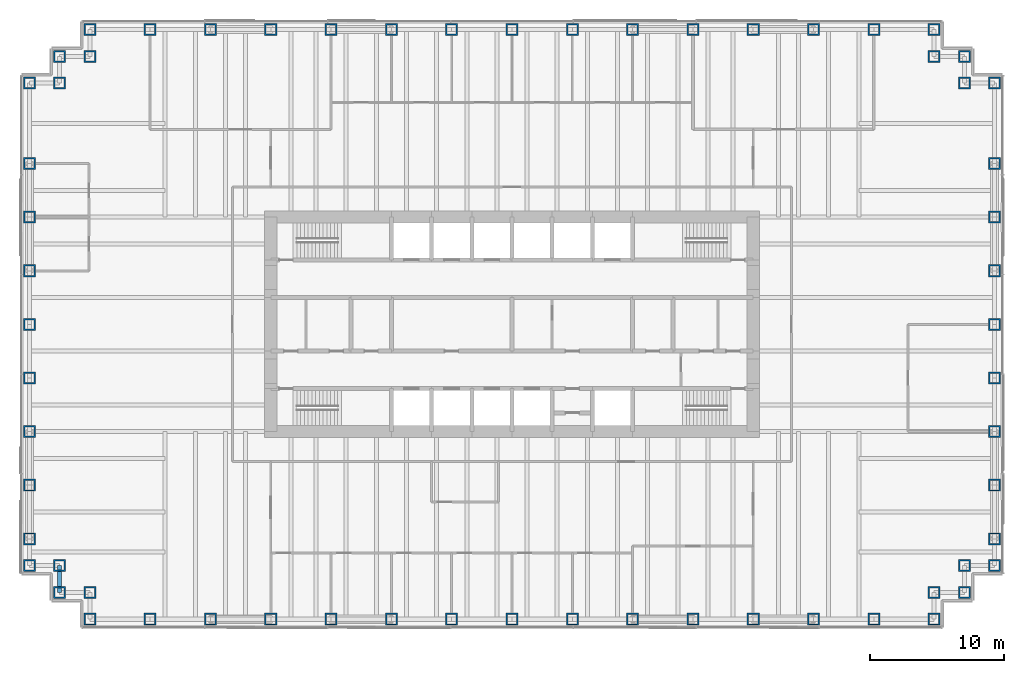
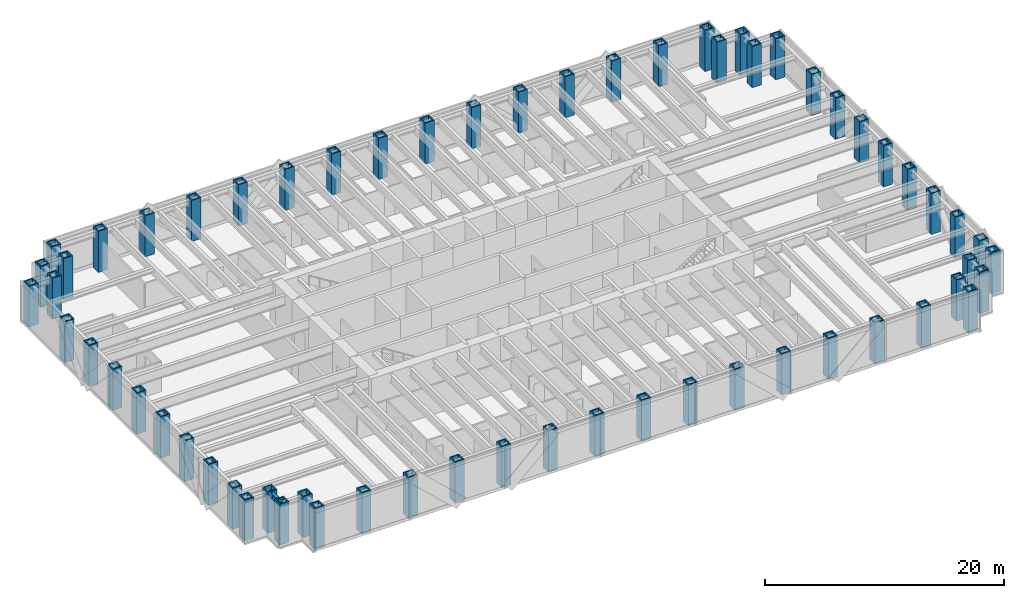
# One storey, part 1 of 15: 62 columns, 1 beam.
"""IFC4 building model written with IfcOpenShell, lengths in metres."""

from ifc_helpers import new_model, si_unit, direction, frame, origin, origin_2d, place, context, subcontext, project, spatial, hollow_rectangle, i_section, extrude, material, material_profile, profile_set, type_object, element, save


model = new_model("IFC4")

# Units and contexts
model_context = context("Model", 3, precision=1e-05, world=origin(), true_north=direction((0.0, 1.0)))
body_context = subcontext(model_context, "Body", "Model", "MODEL_VIEW")
ifc_project = project(units=[si_unit("LENGTHUNIT", "METRE"), si_unit("AREAUNIT", "SQUARE_METRE"), si_unit("VOLUMEUNIT", "CUBIC_METRE"), si_unit("PLANEANGLEUNIT", "RADIAN"), si_unit("MASSUNIT", "GRAM", prefix="KILO")], contexts=[model_context])

# Site, building, storey
site_placement = place(None, origin())
site = spatial("IfcSite", under=ifc_project, at=site_placement, CompositionType="ELEMENT")
building_placement = place(site_placement, origin())
building = spatial("IfcBuilding", under=site, at=building_placement, Name="Rheinbord Bourse Tower", CompositionType="ELEMENT")
storey_placement = place(building_placement, frame((0.0, 0.0, 113.10009765625)))
storey = spatial("IfcBuildingStorey", under=building, at=storey_placement, Name="L24", CompositionType="ELEMENT", Elevation=113.10009765625)

# Columns
ifc_material_1 = material(Name="Steel S460M", Category="steel")
ifc_material_profile_1 = material_profile(ifc_material_1, hollow_rectangle(XDim=0.89990234375, YDim=0.89990234375, WallThickness=0.110107421875, at=origin_2d()), Name="BOX 900x900x110")
ifc_profile_set_1 = profile_set([ifc_material_profile_1], Name="Steel S460M")
column_type = type_object("IfcColumnType", Name="TUBE COLUMN BOX 900x900x110", PredefinedType="COLUMN", material=ifc_profile_set_1)
for number, where, z_axis, x_axis, name in (
    (1, (4.5, 2.0, 0.0), (0.0, 0.0, 1.0), (0.0, 1.0, 0.0), "Column SW-E L24"),
    (2, (9.0, 2.0, 0.0), (0.0, 0.0, 1.0), (0.0, 1.0, 0.0), "Column S-9 L24"),
    (3, (13.5, 2.0, 0.0), (0.0, 0.0, 1.0), (0.0, 1.0, 0.0), "Column S-13.5 L24"),
    (4, (18.0, 2.0, 0.0), (0.0, 0.0, 1.0), (0.0, 1.0, 0.0), "Column S-18 L24"),
    (5, (22.5, 2.0, 0.0), (0.0, 0.0, 1.0), (0.0, 1.0, 0.0), "Column S-22.5 L24"),
    (6, (27.0, 2.0, 0.0), (0.0, 0.0, 1.0), (0.0, 1.0, 0.0), "Column S-27 L24"),
    (7, (31.5, 2.0, 0.0), (0.0, 0.0, 1.0), (0.0, 1.0, 0.0), "Column S-31.5 L24"),
    (8, (36.0, 2.0, 0.0), (0.0, 0.0, 1.0), (0.0, 1.0, 0.0), "Column S-36 L24"),
    (9, (40.5, 2.0, 0.0), (0.0, 0.0, 1.0), (0.0, 1.0, 0.0), "Column S-40.5 L24"),
    (10, (45.0, 2.0, 0.0), (0.0, 0.0, 1.0), (0.0, 1.0, 0.0), "Column S-45 L24"),
    (11, (49.5, 2.0, 0.0), (0.0, 0.0, 1.0), (0.0, 1.0, 0.0), "Column S-49.5 L24"),
    (12, (54.0, 2.0, 0.0), (0.0, 0.0, 1.0), (0.0, 1.0, 0.0), "Column S-54 L24"),
    (13, (58.5, 2.0, 0.0), (0.0, 0.0, 1.0), (0.0, 1.0, 0.0), "Column S-58.5 L24"),
    (14, (63.0, 2.0, 0.0), (0.0, 0.0, 1.0), (0.0, 1.0, 0.0), "Column S-63 L24"),
    (15, (67.5, 2.0, 0.0), (0.0, 0.0, 1.0), (0.0, 1.0, 0.0), "Column SE-E L24"),
    (16, (67.5, 4.0, 0.0), (0.0, 0.0, 1.0), (0.0, 1.0, 0.0), "Column SE-D L24"),
    (17, (69.75, 4.0, 0.0), (0.0, 0.0, 1.0), (1.0, 0.0, 0.0), "Column SE-C L24"),
    (18, (69.75, 6.0, 0.0), (0.0, 0.0, 1.0), (1.0, 0.0, 0.0), "Column SE-B L24"),
    (19, (72.0, 6.0, 0.0), (0.0, 0.0, 1.0), (1.0, 0.0, 0.0), "Column SE-A L24"),
    (20, (72.0, 8.0, 0.0), (0.0, 0.0, 1.0), (1.0, 0.0, 0.0), "Column E-8 L24"),
    (21, (72.0, 12.0, 0.0), (0.0, 0.0, 1.0), (1.0, 0.0, 0.0), "Column E-12 L24"),
    (22, (72.0, 16.0, 0.0), (0.0, 0.0, 1.0), (1.0, 0.0, 0.0), "Column E-16 L24"),
    (23, (72.0, 20.0, 0.0), (0.0, 0.0, 1.0), (1.0, 0.0, 0.0), "Column E-20 L24"),
    (24, (72.0, 24.0, 0.0), (0.0, 0.0, 1.0), (1.0, 0.0, 0.0), "Column E-24 L24"),
    (25, (72.0, 28.0, 0.0), (0.0, 0.0, 1.0), (1.0, 0.0, 0.0), "Column E-28 L24"),
    (26, (72.0, 32.0, 0.0), (0.0, 0.0, 1.0), (1.0, 0.0, 0.0), "Column E-32 L24"),
    (27, (72.0, 36.0, 0.0), (0.0, 0.0, 1.0), (1.0, 0.0, 0.0), "Column E-36 L24"),
    (28, (72.0, 42.0, 0.0), (0.0, 0.0, 1.0), (1.0, 0.0, 0.0), "Column NE-A L24"),
    (29, (69.75, 42.0, 0.0), (0.0, 0.0, 1.0), (1.0, 0.0, 0.0), "Column NE-B L24"),
    (30, (69.75, 44.0, 0.0), (0.0, 0.0, 1.0), (1.0, 0.0, 0.0), "Column NE-C L24"),
    (31, (67.5, 44.0, 0.0), (0.0, 0.0, 1.0), (0.0, 1.0, 0.0), "Column NE-D L24"),
    (32, (67.5, 46.0, 0.0), (0.0, 0.0, 1.0), (0.0, 1.0, 0.0), "Column NE-E L24"),
    (33, (63.0, 46.0, 0.0), (0.0, 0.0, 1.0), (0.0, 1.0, 0.0), "Column N-63 L24"),
    (34, (58.5, 46.0, 0.0), (0.0, 0.0, 1.0), (0.0, 1.0, 0.0), "Column N-58.5 L24"),
    (35, (54.0, 46.0, 0.0), (0.0, 0.0, 1.0), (0.0, 1.0, 0.0), "Column N-54 L24"),
    (36, (49.5, 46.0, 0.0), (0.0, 0.0, 1.0), (0.0, 1.0, 0.0), "Column N-49.5 L24"),
    (37, (45.0, 46.0, 0.0), (0.0, 0.0, 1.0), (0.0, 1.0, 0.0), "Column N-45 L24"),
    (38, (40.5, 46.0, 0.0), (0.0, 0.0, 1.0), (0.0, 1.0, 0.0), "Column N-40.5 L24"),
    (39, (36.0, 46.0, 0.0), (0.0, 0.0, 1.0), (0.0, 1.0, 0.0), "Column N-36 L24"),
    (40, (31.5, 46.0, 0.0), (0.0, 0.0, 1.0), (0.0, 1.0, 0.0), "Column N-31.5 L24"),
    (41, (27.0, 46.0, 0.0), (0.0, 0.0, 1.0), (0.0, 1.0, 0.0), "Column N-27 L24"),
    (42, (22.5, 46.0, 0.0), (0.0, 0.0, 1.0), (0.0, 1.0, 0.0), "Column N-22.5 L24"),
    (43, (18.0, 46.0, 0.0), (0.0, 0.0, 1.0), (0.0, 1.0, 0.0), "Column N-18 L24"),
    (44, (13.5, 46.0, 0.0), (0.0, 0.0, 1.0), (0.0, 1.0, 0.0), "Column N-13.5 L24"),
    (45, (9.0, 46.0, 0.0), (0.0, 0.0, 1.0), (0.0, 1.0, 0.0), "Column N-9 L24"),
    (46, (4.5, 46.0, 0.0), (0.0, 0.0, 1.0), (0.0, 1.0, 0.0), "Column NW-E L24"),
    (47, (4.5, 44.0, 0.0), (0.0, 0.0, 1.0), (0.0, 1.0, 0.0), "Column NW-D L24"),
    (48, (2.25, 44.0, 0.0), (0.0, 0.0, 1.0), (1.0, 0.0, 0.0), "Column NW-C L24"),
    (49, (2.25, 42.0, 0.0), (0.0, 0.0, 1.0), (1.0, 0.0, 0.0), "Column NW-B L24"),
    (50, (0.0, 42.0, 0.0), (0.0, 0.0, 1.0), (1.0, 0.0, 0.0), "Column NW-A L24"),
    (51, (0.0, 36.0, 0.0), (0.0, 0.0, 1.0), (1.0, 0.0, 0.0), "Column W-36 L24"),
    (52, (0.0, 32.0, 0.0), (0.0, 0.0, 1.0), (1.0, 0.0, 0.0), "Column W-32 L24"),
    (53, (0.0, 28.0, 0.0), (0.0, 0.0, 1.0), (1.0, 0.0, 0.0), "Column W-28 L24"),
    (54, (0.0, 24.0, 0.0), (0.0, 0.0, 1.0), (1.0, 0.0, 0.0), "Column W-24 L24"),
    (55, (0.0, 20.0, 0.0), (0.0, 0.0, 1.0), (1.0, 0.0, 0.0), "Column W-20 L24"),
    (56, (0.0, 16.0, 0.0), (0.0, 0.0, 1.0), (1.0, 0.0, 0.0), "Column W-16 L24"),
    (57, (0.0, 12.0, 0.0), (0.0, 0.0, 1.0), (1.0, 0.0, 0.0), "Column W-12 L24"),
    (58, (0.0, 8.0, 0.0), (0.0, 0.0, 1.0), (1.0, 0.0, 0.0), "Column W-8 L24"),
    (59, (0.0, 6.0, 0.0), (0.0, 0.0, 1.0), (1.0, 0.0, 0.0), "Column SW-A L24"),
    (60, (2.25, 6.0, 0.0), (0.0, 0.0, 1.0), (1.0, 0.0, 0.0), "Column SW-B L24"),
    (61, (2.25, 4.0, 0.0), (0.0, 0.0, 1.0), (1.0, 0.0, 0.0), "Column SW-C L24"),
    (62, (4.5, 4.0, 0.0), (0.0, 0.0, 1.0), (0.0, 1.0, 0.0), "Column SW-D L24"),
):
    element("IfcColumn", number, at=place(storey_placement, frame(where, z_axis=z_axis, x_axis=x_axis)), inside=storey, type_object=column_type, Name=name, PredefinedType="COLUMN", context=body_context, shape_type="SweptSolid", body=[
        extrude(hollow_rectangle(XDim=0.89990234375, YDim=0.89990234375, WallThickness=0.110107421875, at=origin_2d()), origin(), (0.0, 0.0, 1.0), 4.199951171875),
    ])

# Beam
ifc_material_2 = material(Name="Steel S460", Category="steel")
ifc_material_profile_2 = material_profile(ifc_material_2, i_section(OverallWidth=0.305908203125, OverallDepth=0.572021484375, WebThickness=0.02099609375, FlangeThickness=0.0400390625, at=origin_2d()), Name="HEM 550")
ifc_profile_set_2 = profile_set([ifc_material_profile_2], Name="Steel S460")
beam_type = type_object("IfcBeamType", Name="SPANDREL HEM 550", PredefinedType="SPANDREL", material=ifc_profile_set_2)
beam_placement = place(storey_placement, frame((2.25, 6.0, 3.75390625), z_axis=(0.0, -1.0, 0.0), x_axis=(1.0, 0.0, 0.0)))
element("IfcBeam", 63, at=beam_placement, inside=storey, type_object=beam_type, Name="Spandrel SW-B-SW-C under L25", PredefinedType="SPANDREL", context=body_context, shape_type="SweptSolid", body=[
    extrude(i_section(OverallWidth=0.305908203125, OverallDepth=0.572021484375, WebThickness=0.02099609375, FlangeThickness=0.0400390625, at=origin_2d()), origin(), (0.0, 0.0, 1.0), 2.0),
])

save(model, "model.ifc")
